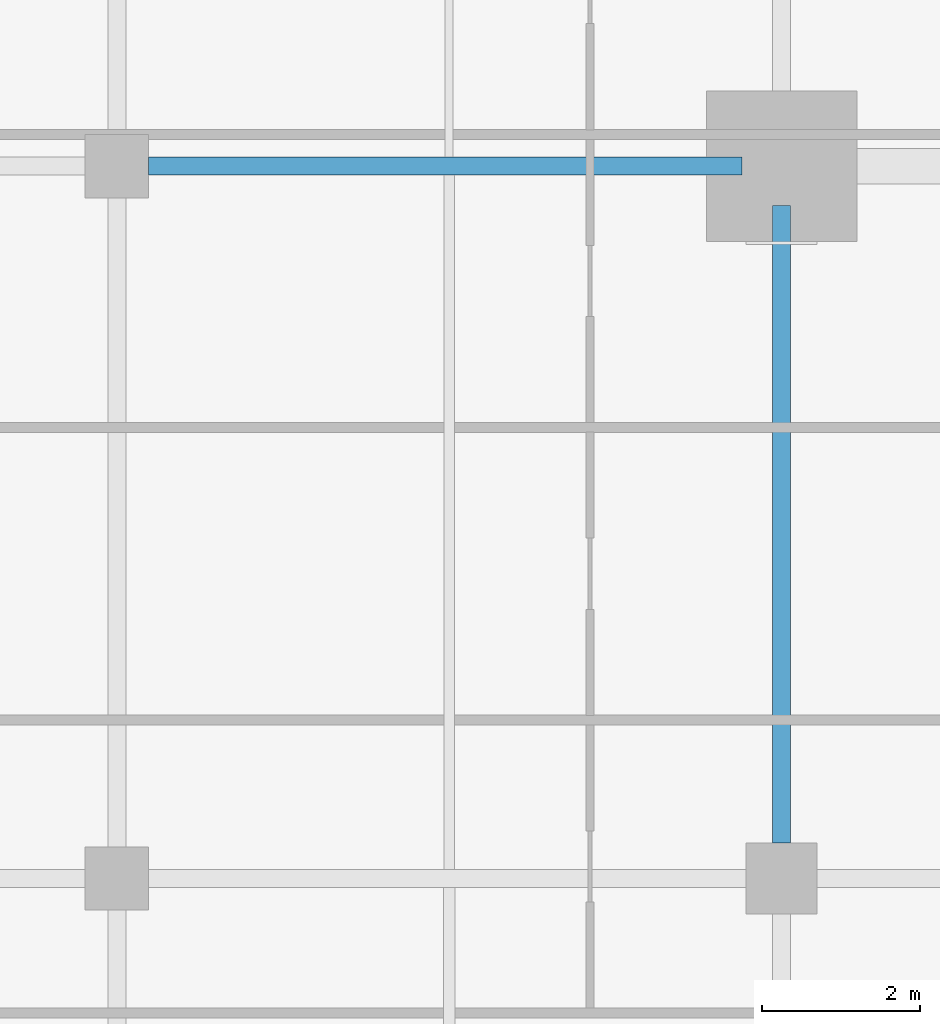
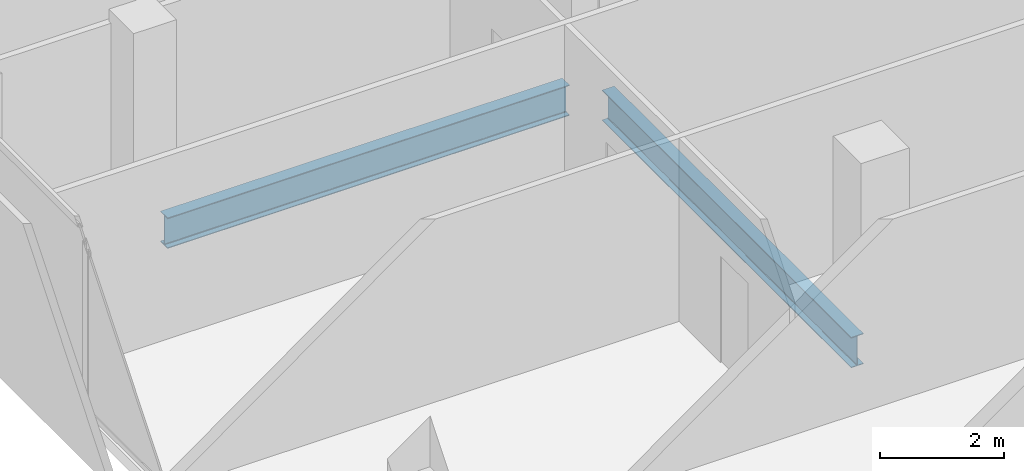
# One storey, part 9 of 34: 2 beams.
"""IFC4 building model written with IfcOpenShell, lengths in metres."""

from ifc_helpers import new_model, si_unit, direction, frame, origin, origin_2d, place, context, subcontext, project, spatial, i_section, extrude, material, material_profile, profile_set, type_object, element, save


model = new_model("IFC4")

# Units and contexts
model_context = context("Model", 3, precision=1e-05, world=origin(), true_north=direction((0.0, 1.0)))
body_context = subcontext(model_context, "Body", "Model", "MODEL_VIEW")
ifc_project = project(units=[si_unit("LENGTHUNIT", "METRE"), si_unit("AREAUNIT", "SQUARE_METRE"), si_unit("VOLUMEUNIT", "CUBIC_METRE"), si_unit("PLANEANGLEUNIT", "RADIAN"), si_unit("MASSUNIT", "GRAM", prefix="KILO")], contexts=[model_context])

# Site, building, storey
site_placement = place(None, origin())
site = spatial("IfcSite", under=ifc_project, at=site_placement, CompositionType="ELEMENT")
building_placement = place(site_placement, origin())
building = spatial("IfcBuilding", under=site, at=building_placement, Name="Maruvema Waterfront Hotel and Observation Tower", CompositionType="ELEMENT")
storey_placement = place(building_placement, frame((0.0, 0.0, 189.0)))
storey = spatial("IfcBuildingStorey", under=building, at=storey_placement, Name="L46", CompositionType="ELEMENT", Elevation=189.0)

# Beams
ifc_material = material(Name="Steel ASTM A572 Grade 50", Category="steel")
ifc_material_profile = material_profile(ifc_material, i_section(OverallWidth=0.22802734375, OverallDepth=0.60302734375, WebThickness=0.010498046875, FlangeThickness=0.014892578125, FilletRadius=0.01806640625, at=origin_2d()), Name="W610x101.0")
ifc_profile_set = profile_set([ifc_material_profile], Name="Steel ASTM A572 Grade 50")
beam_type = type_object("IfcBeamType", Name="Primary Floor Girder W610x101.0", PredefinedType="BEAM", material=ifc_profile_set)
beam_1_placement = place(storey_placement, frame((17.199951171875, 27.0, -0.54150390625), z_axis=(1.0, 0.0, 0.0), x_axis=(0.0, 1.0, 0.0)))
element("IfcBeam", 1, at=beam_1_placement, inside=storey, type_object=beam_type, Name="L46 Floor Girder EW-19", PredefinedType="BEAM", context=body_context, shape_type="SweptSolid", body=[
    extrude(i_section(OverallWidth=0.22802734375, OverallDepth=0.60302734375, WebThickness=0.010498046875, FlangeThickness=0.014892578125, FilletRadius=0.01806640625, at=origin_2d()), origin(), (0.0, 0.0, 1.0), 7.5),
])
beam_2_placement = place(storey_placement, frame((25.199951171875, 18.449951171875, -0.54150390625), z_axis=(0.0, 1.0, 0.0), x_axis=(-1.0, 0.0, 0.0)))
element("IfcBeam", 2, at=beam_2_placement, inside=storey, type_object=beam_type, Name="L46 Floor Girder NS-11", PredefinedType="BEAM", context=body_context, shape_type="SweptSolid", body=[
    extrude(i_section(OverallWidth=0.22802734375, OverallDepth=0.60302734375, WebThickness=0.010498046875, FlangeThickness=0.014892578125, FilletRadius=0.01806640625, at=origin_2d()), origin(), (0.0, 0.0, 1.0), 8.050048828125),
])

save(model, "model.ifc")
